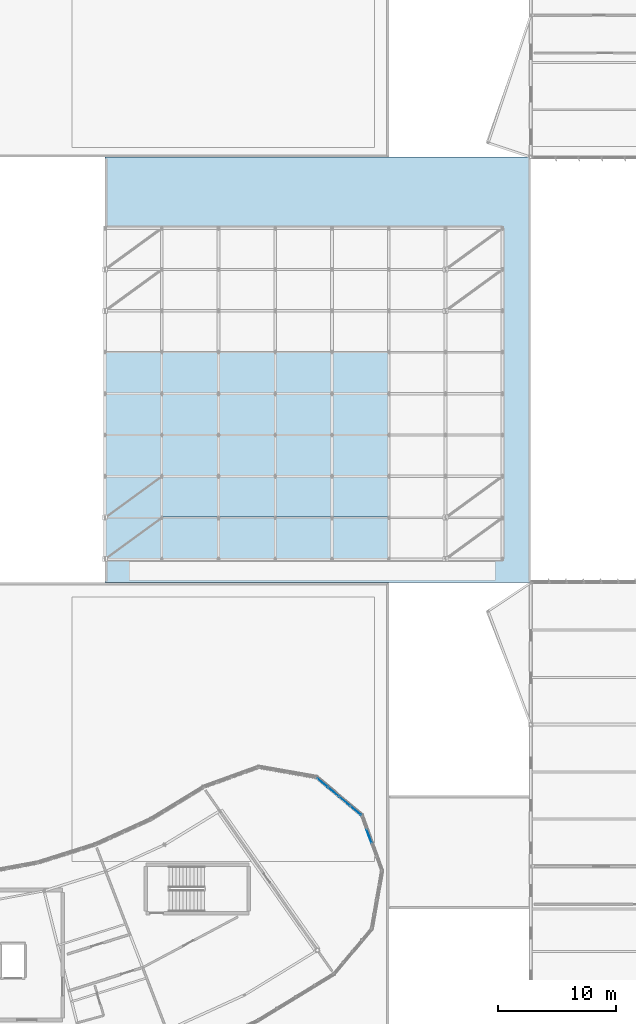
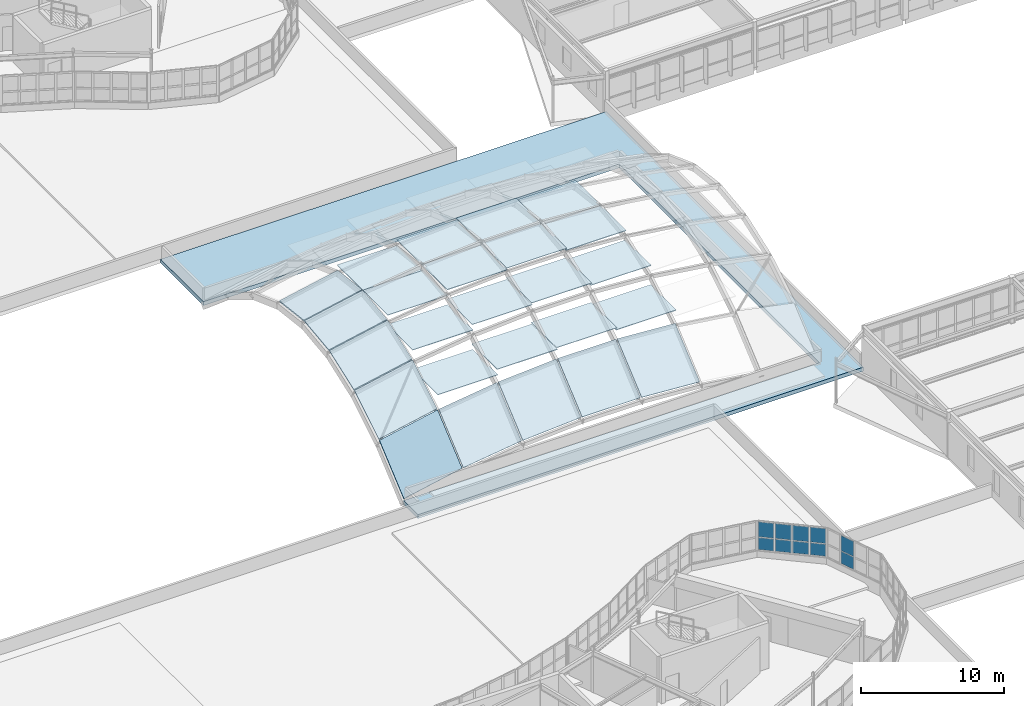
# One storey, part 72 of 128: 26 plates, 10 slabs, 2 elements without a shape of their own.
"""IFC4 building model written with IfcOpenShell, lengths in metres."""

from ifc_helpers import new_model, si_unit, direction, frame, origin, origin_2d, place, context, subcontext, project, spatial, polyline, rectangle, outline, extrude, material, layer, layer_set, type_object, element, aggregate, save


model = new_model("IFC4")

# Units and contexts
model_context = context("Model", 3, precision=1e-05, world=origin(), true_north=direction((0.0, 1.0)))
body_context = subcontext(model_context, "Body", "Model", "MODEL_VIEW")
ifc_project = project(units=[si_unit("LENGTHUNIT", "METRE"), si_unit("AREAUNIT", "SQUARE_METRE"), si_unit("VOLUMEUNIT", "CUBIC_METRE"), si_unit("PLANEANGLEUNIT", "RADIAN"), si_unit("MASSUNIT", "GRAM", prefix="KILO")], contexts=[model_context])

# Site, building, storey
site_placement = place(None, origin())
site = spatial("IfcSite", under=ifc_project, at=site_placement, CompositionType="ELEMENT")
building_placement = place(site_placement, origin())
building = spatial("IfcBuilding", under=site, at=building_placement, Name="Tarnwether General Hospital", CompositionType="ELEMENT")
storey_placement = place(building_placement, frame((0.0, 0.0, 14.39990234375)))
storey = spatial("IfcBuildingStorey", under=building, at=storey_placement, Name="L03", CompositionType="ELEMENT", Elevation=14.39990234375)

# Curtain wall, plates
ifc_material_1 = material(Name="Anodised aluminium", Category="aluminium")
ifc_layer_1 = layer(ifc_material_1, 0.159912109375)
ifc_layer_set_1 = layer_set([ifc_layer_1], Name="Anodised aluminium")
curtain_wall_type = type_object("IfcCurtainWallType", Name="CW-04", PredefinedType="NOTDEFINED", material=ifc_layer_set_1)
curtain_wall_1_placement = place(storey_placement, origin())
curtain_wall_1 = element("IfcCurtainWall", 1, at=curtain_wall_1_placement, inside=storey, type_object=curtain_wall_type, Name="Curtain Wall CWG-L03-1259_291-0167", PredefinedType="NOTDEFINED")
ifc_material_2 = material(Name="Double glazed low-E glass", Category="glass")
ifc_layer_2 = layer(ifc_material_2, 0.028076171875)
ifc_layer_set_2 = layer_set([ifc_layer_2], Name="Double glazed low-E glass")
plate_type_1 = type_object("IfcPlateType", Name="PT-CWP1", PredefinedType="CURTAIN_PANEL", material=ifc_layer_set_2)
plate_1_placement = place(storey_placement, frame((126.372314453125, 28.6943359375, 1.1201171875), z_axis=(0.0, 0.0, 1.0), x_axis=(0.765990176896, -0.64285227611, 0.0)))
plate_1 = element("IfcPlate", 2, at=plate_1_placement, type_object=plate_type_1, Name="CW-04 panel 1.1", PredefinedType="CURTAIN_PANEL", context=body_context, shape_type="SweptSolid", body=[
    extrude(rectangle(XDim=1.137451171875, YDim=0.028076171875, at=origin_2d()), origin(), (0.0, 0.0, 1.0), 1.0244140625),
])
plate_2_placement = place(storey_placement, frame((126.372314453125, 28.6943359375, 2.214599609375), z_axis=(0.0, 0.0, 1.0), x_axis=(0.765990176896, -0.64285227611, 0.0)))
plate_2 = element("IfcPlate", 3, at=plate_2_placement, type_object=plate_type_1, Name="CW-04 panel 1.2", PredefinedType="CURTAIN_PANEL", context=body_context, shape_type="SweptSolid", body=[
    extrude(rectangle(XDim=1.137451171875, YDim=0.028076171875, at=origin_2d()), origin(), (0.0, 0.0, 1.0), 1.275390625),
])
plate_3_placement = place(storey_placement, frame((127.310546875, 27.906982421875, 1.1201171875), z_axis=(0.0, 0.0, 1.0), x_axis=(0.765990176896, -0.64285227611, 0.0)))
plate_3 = element("IfcPlate", 4, at=plate_3_placement, type_object=plate_type_1, Name="CW-04 panel 2.1", PredefinedType="CURTAIN_PANEL", context=body_context, shape_type="SweptSolid", body=[
    extrude(rectangle(XDim=1.172607421875, YDim=0.028076171875, at=origin_2d()), origin(), (0.0, 0.0, 1.0), 1.0244140625),
])
plate_4_placement = place(storey_placement, frame((127.310546875, 27.906982421875, 2.214599609375), z_axis=(0.0, 0.0, 1.0), x_axis=(0.765990176896, -0.64285227611, 0.0)))
plate_4 = element("IfcPlate", 5, at=plate_4_placement, type_object=plate_type_1, Name="CW-04 panel 2.2", PredefinedType="CURTAIN_PANEL", context=body_context, shape_type="SweptSolid", body=[
    extrude(rectangle(XDim=1.172607421875, YDim=0.028076171875, at=origin_2d()), origin(), (0.0, 0.0, 1.0), 1.275390625),
])
plate_5_placement = place(storey_placement, frame((128.262451171875, 27.108154296875, 1.1201171875), z_axis=(0.0, 0.0, 1.0), x_axis=(0.765990176896, -0.64285227611, 0.0)))
plate_5 = element("IfcPlate", 6, at=plate_5_placement, type_object=plate_type_1, Name="CW-04 panel 3.1", PredefinedType="CURTAIN_PANEL", context=body_context, shape_type="SweptSolid", body=[
    extrude(rectangle(XDim=1.172607421875, YDim=0.028076171875, at=origin_2d()), origin(), (0.0, 0.0, 1.0), 1.0244140625),
])
plate_6_placement = place(storey_placement, frame((128.262451171875, 27.108154296875, 2.214599609375), z_axis=(0.0, 0.0, 1.0), x_axis=(0.765990176896, -0.64285227611, 0.0)))
plate_6 = element("IfcPlate", 7, at=plate_6_placement, type_object=plate_type_1, Name="CW-04 panel 3.2", PredefinedType="CURTAIN_PANEL", context=body_context, shape_type="SweptSolid", body=[
    extrude(rectangle(XDim=1.172607421875, YDim=0.028076171875, at=origin_2d()), origin(), (0.0, 0.0, 1.0), 1.275390625),
])
plate_7_placement = place(storey_placement, frame((129.20068359375, 26.320556640625, 1.1201171875), z_axis=(0.0, 0.0, 1.0), x_axis=(0.765990176896, -0.64285227611, 0.0)))
plate_7 = element("IfcPlate", 8, at=plate_7_placement, type_object=plate_type_1, Name="CW-04 panel 4.1", PredefinedType="CURTAIN_PANEL", context=body_context, shape_type="SweptSolid", body=[
    extrude(rectangle(XDim=1.137451171875, YDim=0.028076171875, at=origin_2d()), origin(), (0.0, 0.0, 1.0), 1.0244140625),
])
plate_8_placement = place(storey_placement, frame((129.20068359375, 26.320556640625, 2.214599609375), z_axis=(0.0, 0.0, 1.0), x_axis=(0.765990176896, -0.64285227611, 0.0)))
plate_8 = element("IfcPlate", 9, at=plate_8_placement, type_object=plate_type_1, Name="CW-04 panel 4.2", PredefinedType="CURTAIN_PANEL", context=body_context, shape_type="SweptSolid", body=[
    extrude(rectangle(XDim=1.137451171875, YDim=0.028076171875, at=origin_2d()), origin(), (0.0, 0.0, 1.0), 1.275390625),
])
aggregate(curtain_wall_1, [plate_1, plate_2, plate_3, plate_4, plate_5, plate_6, plate_7, plate_8])

curtain_wall_2_placement = place(storey_placement, origin())
curtain_wall_2 = element("IfcCurtainWall", 10, at=curtain_wall_2_placement, inside=storey, type_object=curtain_wall_type, Name="Curtain Wall CWG-L03-1297_259-0166", PredefinedType="NOTDEFINED")
ifc_material_3 = material(Name="Double glazed low-E glass", Category="glass")
ifc_layer_3 = layer(ifc_material_3, 0.035888671875)
ifc_layer_set_3 = layer_set([ifc_layer_3], Name="Double glazed low-E glass")
plate_type_2 = type_object("IfcPlateType", Name="PT-CWP2", PredefinedType="CURTAIN_PANEL", material=ifc_layer_set_3)
plate_9_placement = place(storey_placement, frame((130.3271484375, 24.1591796875, 1.110107421875), z_axis=(0.0, 0.0, 1.0), x_axis=(0.341953136469, -0.939717006582, 0.0)))
plate_9 = element("IfcPlate", 11, at=plate_9_placement, type_object=plate_type_2, Name="CW-04 panel 2.1", PredefinedType="CURTAIN_PANEL", context=body_context, shape_type="SweptSolid", body=[
    extrude(rectangle(XDim=1.18212890625, YDim=0.035888671875, at=origin_2d()), origin(), (0.0, 0.0, 1.0), 1.03955078125),
])
plate_10_placement = place(storey_placement, frame((130.3271484375, 24.1591796875, 2.20947265625), z_axis=(0.0, 0.0, 1.0), x_axis=(0.341953136469, -0.939717006582, 0.0)))
plate_10 = element("IfcPlate", 12, at=plate_10_placement, type_object=plate_type_2, Name="CW-04 panel 2.2", PredefinedType="CURTAIN_PANEL", context=body_context, shape_type="SweptSolid", body=[
    extrude(rectangle(XDim=1.18212890625, YDim=0.035888671875, at=origin_2d()), origin(), (0.0, 0.0, 1.0), 1.29052734375),
])
aggregate(curtain_wall_2, [plate_9, plate_10])

# Plates
ifc_material_4 = material(Name="Laminated skylight glass", Category="glass")
ifc_layer_4 = layer(ifc_material_4, 0.0419921875)
ifc_layer_set_4 = layer_set([ifc_layer_4], Name="Laminated skylight glass")
plate_type_3 = type_object("IfcPlateType", Name="PT-SKY1", PredefinedType="SHEET", material=ifc_layer_set_4)
for number, where, z_axis, x_axis, name in (
    (13, (115.199951171875, 52.85009765625, 5.562744140625), (0.0, 0.0, 1.0), (1.0, 0.0, 0.0), "Main Hall Gridshell Skylight Panel 2-2"),
    (14, (115.199951171875, 59.85009765625, 8.11279296875), (0.0, 0.0, 1.0), (1.0, 0.0, 0.0), "Main Hall Gridshell Skylight Panel 2-4"),
    (15, (120.0, 56.35009765625, 7.75244140625), (0.0, 0.0, 1.0), (1.0, 0.0, 0.0), "Main Hall Gridshell Skylight Panel 3-3"),
    (16, (120.0, 63.35009765625, 8.6025390625), (0.0, 0.0, 1.0), (1.0, 0.0, 0.0), "Main Hall Gridshell Skylight Panel 3-5"),
    (17, (124.800048828125, 52.85009765625, 6.2158203125), (0.0, 0.0, 1.0), (1.0, 0.0, 0.0), "Main Hall Gridshell Skylight Panel 4-2"),
    (18, (124.800048828125, 59.85009765625, 8.765869140625), (0.0, 0.0, 1.0), (1.0, 0.0, 0.0), "Main Hall Gridshell Skylight Panel 4-4"),
    (19, (129.60009765625, 56.35009765625, 7.75244140625), (0.0, 0.0, 1.0), (1.0, 0.0, 0.0), "Main Hall Gridshell Skylight Panel 5-3"),
    (20, (129.60009765625, 63.35009765625, 8.6025390625), (0.0, 0.0, 1.0), (1.0, 0.0, 0.0), "Main Hall Gridshell Skylight Panel 5-5"),
):
    element("IfcPlate", number, at=place(storey_placement, frame(where, z_axis=z_axis, x_axis=x_axis)), inside=storey, type_object=plate_type_3, Name=name, PredefinedType="SHEET", context=body_context, shape_type="SweptSolid", body=[
        extrude(rectangle(XDim=4.860107421875, YDim=3.56005859375, at=origin_2d()), origin(), (0.0, 0.0, 1.0), 0.0419921875),
    ])
ifc_material_5 = material(Name="Laminated skylight glass", Category="glass")
ifc_layer_5 = layer(ifc_material_5, 0.050048828125)
ifc_layer_set_5 = layer_set([ifc_layer_5], Name="Laminated skylight glass")
plate_type_4 = type_object("IfcPlateType", Name="PT-SKY2", PredefinedType="SHEET", material=ifc_layer_set_5)
for number, where, z_axis, x_axis, name in (
    (21, (115.199951171875, 56.35009765625, 7.2587890625), (0.0, 0.0, 1.0), (1.0, 0.0, 0.0), "Main Hall Gridshell Skylight Panel 2-3"),
    (22, (115.199951171875, 63.35009765625, 8.10888671875), (0.0, 0.0, 1.0), (1.0, 0.0, 0.0), "Main Hall Gridshell Skylight Panel 2-5"),
    (23, (120.0, 52.85009765625, 6.04833984375), (0.0, 0.0, 1.0), (1.0, 0.0, 0.0), "Main Hall Gridshell Skylight Panel 3-2"),
    (24, (120.0, 59.85009765625, 8.5986328125), (0.0, 0.0, 1.0), (1.0, 0.0, 0.0), "Main Hall Gridshell Skylight Panel 3-4"),
    (25, (124.800048828125, 56.35009765625, 7.91162109375), (0.0, 0.0, 1.0), (1.0, 0.0, 0.0), "Main Hall Gridshell Skylight Panel 4-3"),
    (26, (124.800048828125, 63.35009765625, 8.76171875), (0.0, 0.0, 1.0), (1.0, 0.0, 0.0), "Main Hall Gridshell Skylight Panel 4-5"),
    (27, (129.60009765625, 52.85009765625, 6.04833984375), (0.0, 0.0, 1.0), (1.0, 0.0, 0.0), "Main Hall Gridshell Skylight Panel 5-2"),
    (28, (129.60009765625, 59.85009765625, 8.5986328125), (0.0, 0.0, 1.0), (1.0, 0.0, 0.0), "Main Hall Gridshell Skylight Panel 5-4"),
):
    element("IfcPlate", number, at=place(storey_placement, frame(where, z_axis=z_axis, x_axis=x_axis)), inside=storey, type_object=plate_type_4, Name=name, PredefinedType="SHEET", context=body_context, shape_type="SweptSolid", body=[
        extrude(rectangle(XDim=4.860107421875, YDim=3.56005859375, at=origin_2d()), origin(), (0.0, 0.0, 1.0), 0.050048828125),
    ])

# Slabs
ifc_material_6 = material(Name="Precast concrete 40 MPa", Category="concrete")
ifc_layer_6 = layer(ifc_material_6, 0.139892578125)
ifc_layer_set_6 = layer_set([ifc_layer_6], Name="Precast concrete 40 MPa")
slab_type_1 = type_object("IfcSlabType", Name="SL-GS140", PredefinedType="ROOF", material=ifc_layer_set_6)
slab_1_placement = place(storey_placement, frame((108.048095703125, 47.635009765625, 0.444580078125), z_axis=(-0.153686055682, -0.63996506945, 0.752878015467), x_axis=(0.979794501025, 0.0, 0.200006839286)))
element("IfcSlab", 29, at=slab_1_placement, inside=storey, type_object=slab_type_1, Name="Main Hall Gridshell Roof Panel 1-1", PredefinedType="ROOF", context=body_context, shape_type="SweptSolid", body=[
    extrude(outline(polyline([(0.0, 0.0), (4.800861218300896, -2.220446049250313e-16), (5.383986627177396, 4.463708716867293), (0.5831254088765002, 4.463708716867293), (0.0, 0.0)])), origin(), (0.0, 0.0, -1.0), 0.139892578125),
])
slab_2_placement = place(storey_placement, frame((108.048095703125, 51.135009765625, 3.4111328125), z_axis=(-0.171848130849, -0.511268480735, 0.842064582162), x_axis=(0.979804465448, 0.0, 0.199958019315)))
element("IfcSlab", 30, at=slab_2_placement, inside=storey, type_object=slab_type_1, Name="Main Hall Gridshell Roof Panel 1-2", PredefinedType="ROOF", context=body_context, shape_type="SweptSolid", body=[
    extrude(outline(polyline([(0.0, 0.0), (4.800812394465587, -5.551115123125783e-17), (5.2172288751190345, 3.9909793249324688), (0.41641648065344766, 3.9909793249324688), (0.0, 0.0)])), origin(), (0.0, 0.0, -1.0), 0.139892578125),
])
slab_3_placement = place(storey_placement, frame((108.048095703125, 54.635009765625, 5.527587890625), z_axis=(-0.188367185681, -0.336163277416, 0.922774107935), x_axis=(0.979794501025, 0.0, 0.200006839286)))
element("IfcSlab", 31, at=slab_3_placement, inside=storey, type_object=slab_type_1, Name="Main Hall Gridshell Roof Panel 1-3", PredefinedType="ROOF", context=body_context, shape_type="SweptSolid", body=[
    extrude(outline(polyline([(0.0, 0.0), (4.800861218300896, 0.0), (5.050772107819396, 3.6418752232818408), (0.24991088951850007, 3.6418752232818408), (0.0, 0.0)])), origin(), (0.0, 0.0, -1.0), 0.139892578125),
])
slab_4_placement = place(storey_placement, frame((108.048095703125, 58.135009765625, 6.794189453125), z_axis=(-0.198557550072, -0.118146431343, 0.972942094922), x_axis=(0.979804465448, 0.0, 0.199958019315)))
element("IfcSlab", 32, at=slab_4_placement, inside=storey, type_object=slab_type_1, Name="Main Hall Gridshell Roof Panel 1-4", PredefinedType="ROOF", context=body_context, shape_type="SweptSolid", body=[
    extrude(outline(polyline([(0.0, 0.0), (4.800812394465587, -1.3877787807814457e-17), (4.8840956905962765, 3.454123688559462), (0.08328329613068954, 3.454123688559462), (0.0, 0.0)])), origin(), (0.0, 0.0, -1.0), 0.139892578125),
])
slab_5_placement = place(storey_placement, frame((108.048095703125, 61.635009765625, 7.210693359375), z_axis=(-0.198557550072, 0.118146431343, 0.972942094922), x_axis=(0.979804465448, 0.0, 0.199958019315)))
element("IfcSlab", 33, at=slab_5_placement, inside=storey, type_object=slab_type_1, Name="Main Hall Gridshell Roof Panel 1-5", PredefinedType="ROOF", context=body_context, shape_type="SweptSolid", body=[
    extrude(outline(polyline([(0.0, 0.0), (4.800812394465587, 1.3877787807814457e-17), (4.717529098334897, 3.4541236885594624), (-0.08328329613068954, 3.454123688559462), (0.0, 0.0)])), origin(), (0.0, 0.0, -1.0), 0.139892578125),
])
slab_6_placement = place(storey_placement, frame((112.847900390625, 47.635009765625, 1.4208984375), z_axis=(-0.103130980637, -0.644205980019, 0.75786717579), x_axis=(0.990867681908, 0.0, 0.134837817208)))
element("IfcSlab", 34, at=slab_6_placement, inside=storey, type_object=slab_type_1, Name="Main Hall Gridshell Roof Panel 2-1", PredefinedType="ROOF", context=body_context, shape_type="SweptSolid", body=[
    extrude(outline(polyline([(0.0, 0.0), (4.747456848567132, 0.0), (5.1405801916086435, 4.484438068328105), (0.3931233430415112, 4.484438068328105), (0.0, 0.0)])), origin(), (0.0, 0.0, -1.0), 0.139892578125),
])
slab_7_placement = place(storey_placement, frame((117.64794921875, 47.635009765625, 2.07080078125), z_axis=(-0.051772397964, -0.646790870443, 0.760908134219), x_axis=(0.997693266702, 0.0, 0.067883323264)))
element("IfcSlab", 35, at=slab_7_placement, inside=storey, type_object=slab_type_1, Name="Main Hall Gridshell Roof Panel 3-1", PredefinedType="ROOF", context=body_context, shape_type="SweptSolid", body=[
    extrude(outline(polyline([(0.0, 0.0), (4.714977758694938, 0.0), (4.912893443855096, 4.497283639385227), (0.19791568516015787, 4.497283639385226), (0.0, 0.0)])), origin(), (0.0, 0.0, -1.0), 0.139892578125),
])
slab_8_placement = place(storey_placement, frame((122.447998046875, 47.635009765625, 2.39404296875), z_axis=(0.0, -0.647659439948, 0.761929950748), x_axis=(1.0, 0.0, 0.0)))
element("IfcSlab", 36, at=slab_8_placement, inside=storey, type_object=slab_type_1, Name="Main Hall Gridshell Roof Panel 4-1", PredefinedType="ROOF", context=body_context, shape_type="SweptSolid", body=[
    extrude(outline(polyline([(0.0, 0.0), (4.7041015625, 0.0), (4.7041015625, 4.501636452615253), (0.0, 4.501636452615253), (0.0, 0.0)])), origin(), (0.0, 0.0, -1.0), 0.139892578125),
])
slab_9_placement = place(storey_placement, frame((127.248046875, 47.635009765625, 2.390869140625), z_axis=(0.051775077863, -0.64679078046, 0.760908028361), x_axis=(0.997693028075, 0.0, -0.067886830322)))
element("IfcSlab", 37, at=slab_9_placement, inside=storey, type_object=slab_type_1, Name="Main Hall Gridshell Roof Panel 5-1", PredefinedType="ROOF", context=body_context, shape_type="SweptSolid", body=[
    extrude(outline(polyline([(0.0, 0.0), (4.714734181266377, 0.0), (4.516808271183283, 4.49728318939693), (-0.19792591008309304, 4.49728318939693), (0.0, 0.0)])), origin(), (0.0, 0.0, -1.0), 0.139892578125),
])
ifc_material_7 = material(Name="Concrete 40 MPa", Category="concrete")
ifc_layer_7 = layer(ifc_material_7, 0.330078125)
ifc_layer_set_7 = layer_set([ifc_layer_7], Name="Concrete 40 MPa")
slab_type_2 = type_object("IfcSlabType", Name="SL-RF200", PredefinedType="ROOF", material=ifc_layer_set_7)
slab_10_placement = place(storey_placement, origin())
element("IfcSlab", 38, at=slab_10_placement, inside=storey, type_object=slab_type_2, Name="L03 Main Hall Perimeter Roof Deck SL-L03-V1RING", PredefinedType="ROOF", context=body_context, shape_type="SweptSolid", body=[
    extrude(outline(polyline([(108.0, 81.60009765625), (144.0, 81.60009765625), (144.0, 45.60009765625), (108.0, 45.60009765625), (108.0, 47.60009765625), (141.60009765625, 47.60009765625), (141.60009765625, 75.60009765625), (108.0, 75.60009765625), (108.0, 81.60009765625)])), origin(), (0.0, 0.0, 1.0), 0.330078125),
])

save(model, "model.ifc")
